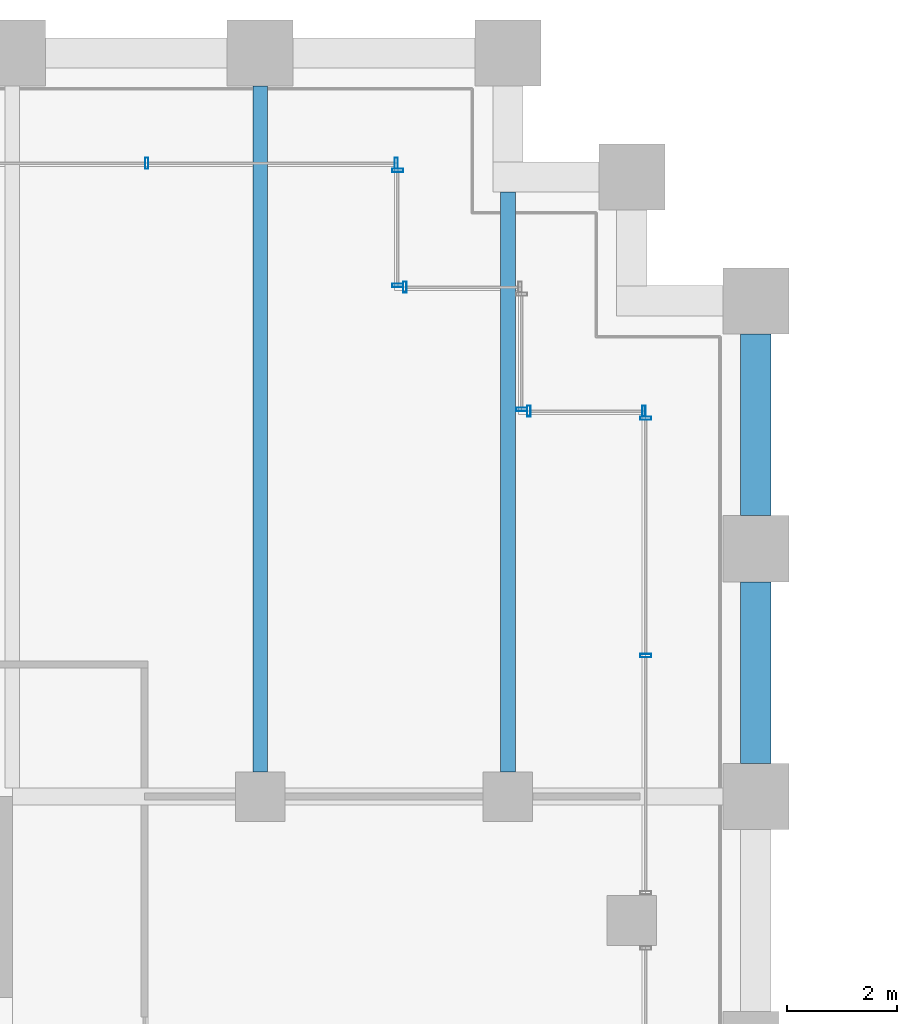
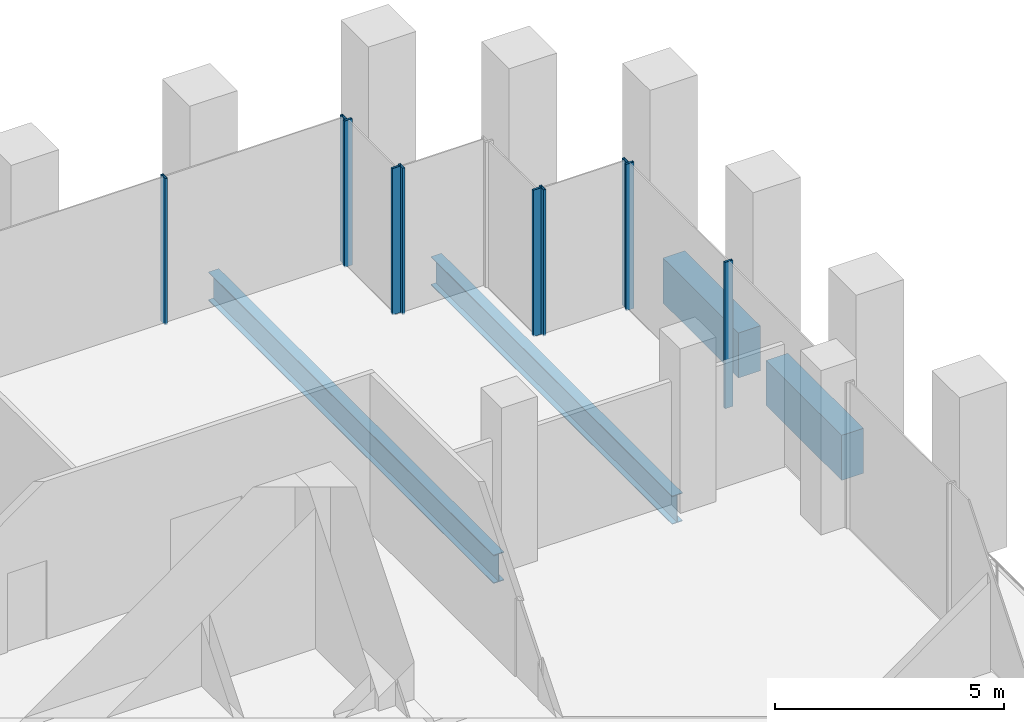
# One storey, part 17 of 36: 10 members, 4 beams, 6 elements without a shape of their own.
"""IFC4 building model written with IfcOpenShell, lengths in metres."""

from ifc_helpers import new_model, si_unit, direction, frame, origin, origin_2d, place, context, subcontext, project, spatial, rectangle, hollow_rectangle, i_section, extrude, material, material_profile, profile_set, type_object, element, aggregate, save


model = new_model("IFC4")

# Units and contexts
model_context = context("Model", 3, precision=1e-05, world=origin(), true_north=direction((0.0, 1.0)))
body_context = subcontext(model_context, "Body", "Model", "MODEL_VIEW")
ifc_project = project(units=[si_unit("LENGTHUNIT", "METRE"), si_unit("AREAUNIT", "SQUARE_METRE"), si_unit("VOLUMEUNIT", "CUBIC_METRE"), si_unit("PLANEANGLEUNIT", "RADIAN"), si_unit("MASSUNIT", "GRAM", prefix="KILO")], contexts=[model_context])

# Site, building, storey
site_placement = place(None, origin())
site = spatial("IfcSite", under=ifc_project, at=site_placement, CompositionType="ELEMENT")
building_placement = place(site_placement, origin())
building = spatial("IfcBuilding", under=site, at=building_placement, Name="Altepetl Exchange Towers", CompositionType="ELEMENT")
storey_placement = place(building_placement, frame((0.0, 0.0, 34.199951171875)))
storey = spatial("IfcBuildingStorey", under=building, at=storey_placement, Name="L07", CompositionType="ELEMENT", Elevation=34.199951171875)

# Beams
ifc_material_1 = material(Name="Steel S355", Category="steel")
ifc_material_profile_1 = material_profile(ifc_material_1, i_section(OverallWidth=0.26611328125, OverallDepth=0.758056640625, WebThickness=0.013916015625, FlangeThickness=0.019287109375, at=origin_2d()), Name="W30X108")
ifc_profile_set_1 = profile_set([ifc_material_profile_1], Name="Steel S355")
beam_type_1 = type_object("IfcBeamType", Name="Floor beam W30X108", PredefinedType="BEAM", material=ifc_profile_set_1)
beam_1_placement = place(storey_placement, frame((63.0, 58.949951171875, -0.553955078125), z_axis=(0.0, 1.0, 0.0), x_axis=(-1.0, 0.0, 0.0)))
element("IfcBeam", 1, at=beam_1_placement, inside=storey, type_object=beam_type_1, Name="bm:A:L07:004", PredefinedType="BEAM", context=body_context, shape_type="SweptSolid", body=[
    extrude(i_section(OverallWidth=0.26611328125, OverallDepth=0.758056640625, WebThickness=0.013916015625, FlangeThickness=0.019287109375, at=origin_2d()), origin(), (0.0, 0.0, 1.0), 12.449951171875),
])
beam_2_placement = place(storey_placement, frame((67.5, 58.949951171875, -0.553955078125), z_axis=(0.0, 1.0, 0.0), x_axis=(-1.0, 0.0, 0.0)))
element("IfcBeam", 2, at=beam_2_placement, inside=storey, type_object=beam_type_1, Name="bm:A:L07:005", PredefinedType="BEAM", context=body_context, shape_type="SweptSolid", body=[
    extrude(i_section(OverallWidth=0.26611328125, OverallDepth=0.758056640625, WebThickness=0.013916015625, FlangeThickness=0.019287109375, at=origin_2d()), origin(), (0.0, 0.0, 1.0), 10.525146484375),
])

# Curtain wall, members
ifc_material_2 = material(Name="Aluminium 6063-T6 glazing", Category="aluminium")
curtain_wall_type = type_object("IfcCurtainWallType", Name="Trading floor glazing system", PredefinedType="NOTDEFINED", material=ifc_material_2)
curtain_wall_1_placement = place(storey_placement, origin())
curtain_wall_1 = element("IfcCurtainWall", 3, at=curtain_wall_1_placement, inside=storey, type_object=curtain_wall_type, Name="CW2 run", PredefinedType="NOTDEFINED")
ifc_material_3 = material(Name="Aluminium 6063-T6", Category="aluminium")
ifc_material_profile_2 = material_profile(ifc_material_3, hollow_rectangle(XDim=0.06005859375, YDim=0.199951171875, WallThickness=0.0029296875, at=origin_2d()), Name="Mullion 60x200 aluminium")
ifc_profile_set_2 = profile_set([ifc_material_profile_2], Name="Aluminium 6063-T6")
member_type = type_object("IfcMemberType", Name="Mullion 60x200 aluminium", PredefinedType="MULLION", material=ifc_profile_set_2)
member_1_placement = place(storey_placement, frame((70.0, 61.06005859375, 0.0), z_axis=(0.0, 0.0, 1.0), x_axis=(0.0, 1.0, 0.0)))
member_1 = element("IfcMember", 4, at=member_1_placement, type_object=member_type, Name="MU2 mullion", PredefinedType="MULLION", context=body_context, shape_type="SweptSolid", body=[
    extrude(hollow_rectangle(XDim=0.06005859375, YDim=0.199951171875, WallThickness=0.0029296875, at=origin_2d()), origin(), (0.0, 0.0, 1.0), 3.900146484375),
])
member_2_placement = place(storey_placement, frame((70.0, 65.3701171875, 0.0), z_axis=(0.0, 0.0, 1.0), x_axis=(0.0, 1.0, 0.0)))
member_2 = element("IfcMember", 5, at=member_2_placement, type_object=member_type, Name="MU2 mullion", PredefinedType="MULLION", context=body_context, shape_type="SweptSolid", body=[
    extrude(hollow_rectangle(XDim=0.06005859375, YDim=0.199951171875, WallThickness=0.0029296875, at=origin_2d()), origin(), (0.0, 0.0, 1.0), 3.900146484375),
])
aggregate(curtain_wall_1, [member_1, member_2])

curtain_wall_2_placement = place(storey_placement, origin())
curtain_wall_2 = element("IfcCurtainWall", 6, at=curtain_wall_2_placement, inside=storey, type_object=curtain_wall_type, Name="CW2 run", PredefinedType="NOTDEFINED")
member_3_placement = place(storey_placement, frame((69.969970703125, 65.5, 0.0), z_axis=(0.0, 0.0, 1.0), x_axis=(-1.0, 0.0, 0.0)))
member_3 = element("IfcMember", 7, at=member_3_placement, type_object=member_type, Name="MU2 mullion", PredefinedType="MULLION", context=body_context, shape_type="SweptSolid", body=[
    extrude(hollow_rectangle(XDim=0.06005859375, YDim=0.199951171875, WallThickness=0.0029296875, at=origin_2d()), origin(), (0.0, 0.0, 1.0), 3.900146484375),
])
member_4_placement = place(storey_placement, frame((67.8798828125, 65.5, 0.0), z_axis=(0.0, 0.0, 1.0), x_axis=(-1.0, 0.0, 0.0)))
member_4 = element("IfcMember", 8, at=member_4_placement, type_object=member_type, Name="MU2 mullion", PredefinedType="MULLION", context=body_context, shape_type="SweptSolid", body=[
    extrude(hollow_rectangle(XDim=0.06005859375, YDim=0.199951171875, WallThickness=0.0029296875, at=origin_2d()), origin(), (0.0, 0.0, 1.0), 3.900146484375),
])
aggregate(curtain_wall_2, [member_3, member_4])

# Curtain wall, member
curtain_wall_3_placement = place(storey_placement, origin())
curtain_wall_3 = element("IfcCurtainWall", 9, at=curtain_wall_3_placement, inside=storey, type_object=curtain_wall_type, Name="CW2 run", PredefinedType="NOTDEFINED")
member_5_placement = place(storey_placement, frame((67.75, 65.530029296875, 0.0), z_axis=(0.0, 0.0, 1.0), x_axis=(0.0, 1.0, 0.0)))
member_5 = element("IfcMember", 10, at=member_5_placement, type_object=member_type, Name="MU2 mullion", PredefinedType="MULLION", context=body_context, shape_type="SweptSolid", body=[
    extrude(hollow_rectangle(XDim=0.06005859375, YDim=0.199951171875, WallThickness=0.0029296875, at=origin_2d()), origin(), (0.0, 0.0, 1.0), 3.900146484375),
])
aggregate(curtain_wall_3, [member_5])

curtain_wall_4_placement = place(storey_placement, origin())
curtain_wall_4 = element("IfcCurtainWall", 11, at=curtain_wall_4_placement, inside=storey, type_object=curtain_wall_type, Name="CW2 run", PredefinedType="NOTDEFINED")
member_6_placement = place(storey_placement, frame((65.6298828125, 67.75, 0.0), z_axis=(0.0, 0.0, 1.0), x_axis=(-1.0, 0.0, 0.0)))
member_6 = element("IfcMember", 12, at=member_6_placement, type_object=member_type, Name="MU2 mullion", PredefinedType="MULLION", context=body_context, shape_type="SweptSolid", body=[
    extrude(hollow_rectangle(XDim=0.06005859375, YDim=0.199951171875, WallThickness=0.0029296875, at=origin_2d()), origin(), (0.0, 0.0, 1.0), 3.900146484375),
])
aggregate(curtain_wall_4, [member_6])

# Curtain wall, members
curtain_wall_5_placement = place(storey_placement, origin())
curtain_wall_5 = element("IfcCurtainWall", 13, at=curtain_wall_5_placement, inside=storey, type_object=curtain_wall_type, Name="CW2 run", PredefinedType="NOTDEFINED")
member_7_placement = place(storey_placement, frame((65.5, 67.780029296875, 0.0), z_axis=(0.0, 0.0, 1.0), x_axis=(0.0, 1.0, 0.0)))
member_7 = element("IfcMember", 14, at=member_7_placement, type_object=member_type, Name="MU2 mullion", PredefinedType="MULLION", context=body_context, shape_type="SweptSolid", body=[
    extrude(hollow_rectangle(XDim=0.06005859375, YDim=0.199951171875, WallThickness=0.0029296875, at=origin_2d()), origin(), (0.0, 0.0, 1.0), 3.900146484375),
])
member_8_placement = place(storey_placement, frame((65.5, 69.8701171875, 0.0), z_axis=(0.0, 0.0, 1.0), x_axis=(0.0, 1.0, 0.0)))
member_8 = element("IfcMember", 15, at=member_8_placement, type_object=member_type, Name="MU2 mullion", PredefinedType="MULLION", context=body_context, shape_type="SweptSolid", body=[
    extrude(hollow_rectangle(XDim=0.06005859375, YDim=0.199951171875, WallThickness=0.0029296875, at=origin_2d()), origin(), (0.0, 0.0, 1.0), 3.900146484375),
])
aggregate(curtain_wall_5, [member_7, member_8])

curtain_wall_6_placement = place(storey_placement, origin())
curtain_wall_6 = element("IfcCurtainWall", 16, at=curtain_wall_6_placement, inside=storey, type_object=curtain_wall_type, Name="CW2 run", PredefinedType="NOTDEFINED")
member_9_placement = place(storey_placement, frame((65.469970703125, 70.0, 0.0), z_axis=(0.0, 0.0, 1.0), x_axis=(-1.0, 0.0, 0.0)))
member_9 = element("IfcMember", 17, at=member_9_placement, type_object=member_type, Name="MU2 mullion", PredefinedType="MULLION", context=body_context, shape_type="SweptSolid", body=[
    extrude(hollow_rectangle(XDim=0.06005859375, YDim=0.199951171875, WallThickness=0.0029296875, at=origin_2d()), origin(), (0.0, 0.0, 1.0), 3.900146484375),
])
member_10_placement = place(storey_placement, frame((60.94287109375, 70.0, 0.0), z_axis=(0.0, 0.0, 1.0), x_axis=(-1.0, 0.0, 0.0)))
member_10 = element("IfcMember", 18, at=member_10_placement, type_object=member_type, Name="MU2 mullion", PredefinedType="MULLION", context=body_context, shape_type="SweptSolid", body=[
    extrude(hollow_rectangle(XDim=0.06005859375, YDim=0.199951171875, WallThickness=0.0029296875, at=origin_2d()), origin(), (0.0, 0.0, 1.0), 3.900146484375),
])
aggregate(curtain_wall_6, [member_9, member_10])

# Beams
ifc_material_4 = material(Name="Concrete C50/60 precast with cantera rosa facing", Category="concrete")
ifc_material_profile_3 = material_profile(ifc_material_4, rectangle(XDim=0.550048828125, YDim=1.199951171875, at=origin_2d()), Name="550 x 1200")
ifc_profile_set_3 = profile_set([ifc_material_profile_3], Name="Concrete C50/60 precast with cantera rosa facing")
beam_type_2 = type_object("IfcBeamType", Name="Spandrel beam 550x1200 cantera rosa", PredefinedType="SPANDREL", material=ifc_profile_set_3)
for number, where, z_axis, x_axis, name in (
    (19, (72.0, 59.10009765625, -0.77490234375), (0.0, 1.0, 0.0), (-1.0, 0.0, 0.0), "sp:A:L07:018"),
    (20, (72.0, 63.60009765625, -0.77490234375), (0.0, 1.0, 0.0), (-1.0, 0.0, 0.0), "sp:A:L07:019"),
):
    element("IfcBeam", number, at=place(storey_placement, frame(where, z_axis=z_axis, x_axis=x_axis)), inside=storey, type_object=beam_type_2, Name=name, PredefinedType="SPANDREL", context=body_context, shape_type="SweptSolid", body=[
        extrude(rectangle(XDim=0.550048828125, YDim=1.199951171875, at=origin_2d()), origin(), (0.0, 0.0, 1.0), 3.2998046875),
    ])

save(model, "model.ifc")
